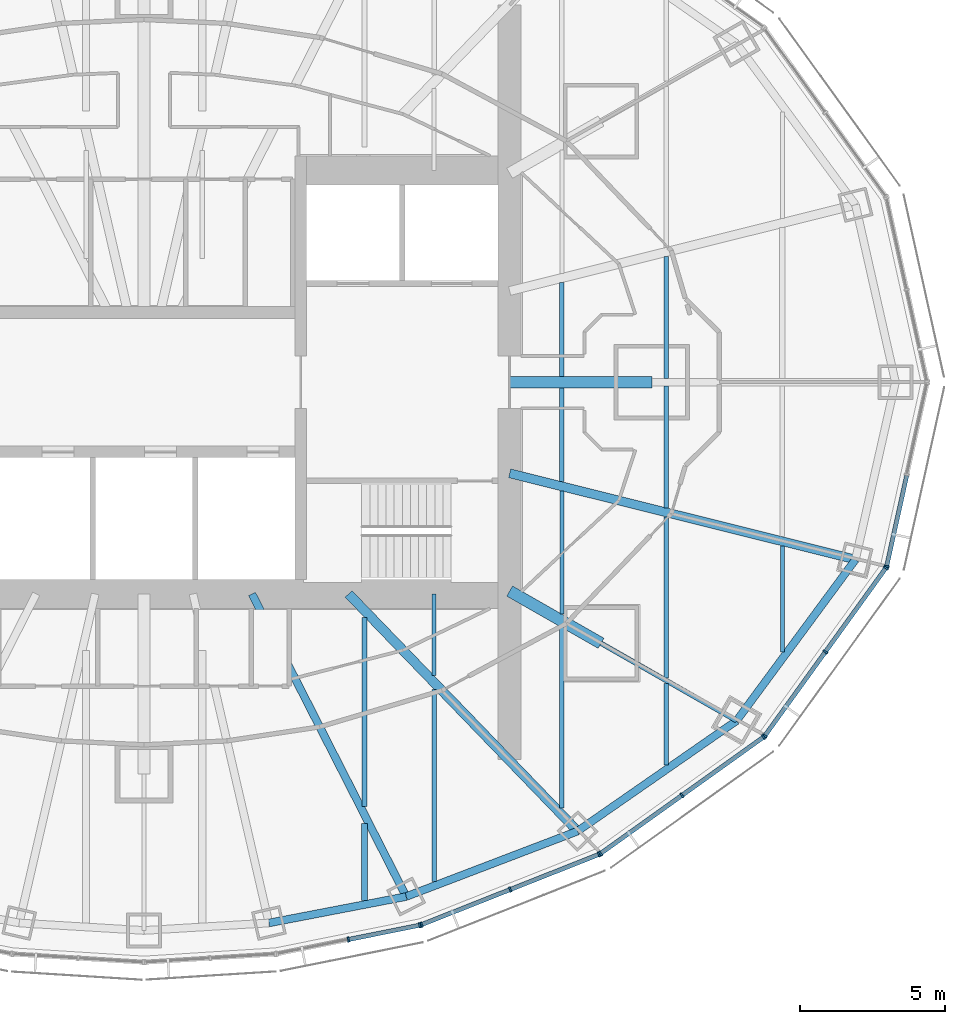
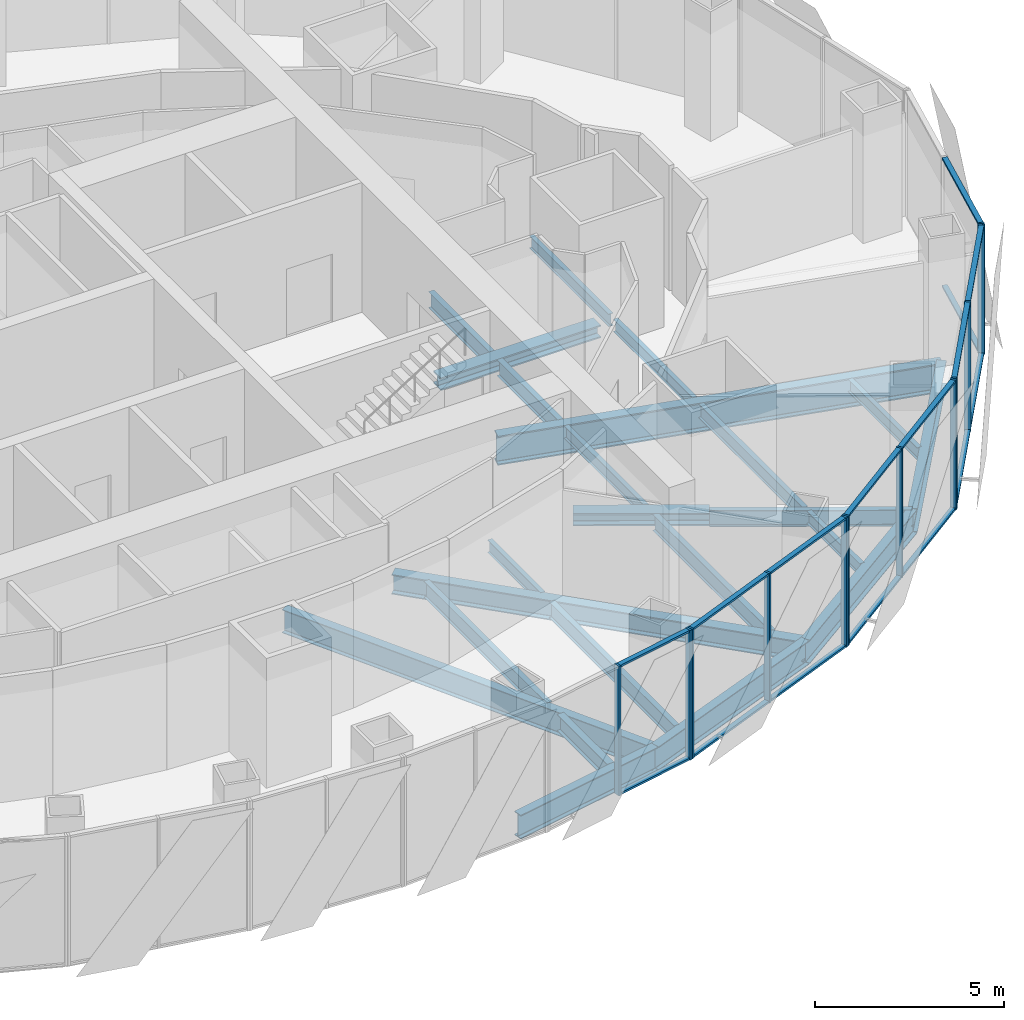
# One storey, part 6 of 17: 28 members, 23 beams, 5 elements without a shape of their own.
"""IFC4 building model written with IfcOpenShell, lengths in metres."""

import ifcopenshell
import ifcopenshell.guid

model = None  # the IFC model being written
_history = None  # IfcOwnerHistory: only IFC2X3 demands one
_inside = {}  # id of a spatial element -> (the spatial element, [elements in it])
_under = {}  # id of a project, library or spatial element -> (it, [spatial elements below it])
_declared = {}  # id of a project -> (the project, [libraries it declares])
_typed = {}  # id of a type object -> (the type object, [elements of that type])
_made_of = {}  # id of a material, layer set ... -> (it, [elements and type objects made of it])


def new_model(schema):
    """Start an empty IFC model of exactly this schema.

    Asked for "IFC4X3", IfcOpenShell would pick the latest addendum, in which some entities
    have other attributes; the version numbers below select the first issue.
    IFC2X3 requires an IfcOwnerHistory on every rooted entity: one is made here for all.
    """
    global model, _history
    if schema == "IFC4X3":
        model = ifcopenshell.file(schema_version=(4, 3, 0, 0))
    else:
        model = ifcopenshell.file(schema=schema)
    _inside.clear()
    _under.clear()
    _declared.clear()
    _typed.clear()
    _made_of.clear()
    _history = None
    if model.schema == "IFC2X3":
        org = make("IfcOrganization", Name="unknown")
        user = make(
            "IfcPersonAndOrganization",
            ThePerson=make("IfcPerson", FamilyName="unknown"),
            TheOrganization=org,
        )
        app = make(
            "IfcApplication",
            ApplicationDeveloper=org,
            Version="unknown",
            ApplicationFullName="unknown",
            ApplicationIdentifier="unknown",
        )
        _history = make(
            "IfcOwnerHistory",
            OwningUser=user,
            OwningApplication=app,
            ChangeAction="ADDED",
            CreationDate=0,
        )
    return model


def make(cls, **values):
    """One entity of the class cls with the attributes given. An attribute that is None is left unset."""
    return model.create_entity(
        cls, **{name: value for name, value in values.items() if value is not None}
    )


def rooted(cls, **values):
    """An entity with a GlobalId (a new one), such as an element, a storey or a relation."""
    return make(cls, GlobalId=ifcopenshell.guid.new(), OwnerHistory=_history, **values)


def si_unit(unit_type, name, prefix=None):
    """IfcSIUnit, for example si_unit("LENGTHUNIT", "METRE", prefix="MILLI")."""
    return make("IfcSIUnit", UnitType=unit_type, Prefix=prefix, Name=name)


def assignment(units):
    """IfcUnitAssignment: the units of a project."""
    return None if units is None else make("IfcUnitAssignment", Units=units)


def point(xyz):
    """IfcCartesianPoint."""
    return None if xyz is None else make("IfcCartesianPoint", Coordinates=xyz)


def direction(xyz):
    """IfcDirection."""
    return None if xyz is None else make("IfcDirection", DirectionRatios=xyz)


def frame(location, z_axis=None, x_axis=None):
    """IfcAxis2Placement3D, a coordinate frame: its origin and axes. An axis left out is left unset."""
    return make(
        "IfcAxis2Placement3D",
        Location=point(location),
        Axis=direction(z_axis),
        RefDirection=direction(x_axis),
    )


def frame_2d(location, x_axis=None):
    """IfcAxis2Placement2D, a coordinate frame in the plane: its origin and x axis."""
    return make(
        "IfcAxis2Placement2D", Location=point(location), RefDirection=direction(x_axis)
    )


def origin():
    """The frame at (0, 0, 0) with its axes left unset."""
    return frame((0.0, 0.0, 0.0))


def origin_2d():
    """The frame at (0, 0) in the plane with its x axis left unset."""
    return frame_2d((0.0, 0.0))


def place(relative_to, where):
    """IfcLocalPlacement: puts the frame where relative to a parent placement (None: the world)."""
    return make(
        "IfcLocalPlacement", PlacementRelTo=relative_to, RelativePlacement=where
    )


def context(
    kind, dimensions, precision=None, world=None, true_north=None, identifier=None
):
    """IfcGeometricRepresentationContext, for example the 3D "Model" context."""
    return make(
        "IfcGeometricRepresentationContext",
        ContextIdentifier=identifier,
        ContextType=kind,
        CoordinateSpaceDimension=dimensions,
        Precision=precision,
        WorldCoordinateSystem=world,
        TrueNorth=true_north,
    )


def subcontext(parent, identifier, kind, view, scale=None):
    """IfcGeometricRepresentationSubContext, for example "Body" below "Model"."""
    return make(
        "IfcGeometricRepresentationSubContext",
        ContextIdentifier=identifier,
        ContextType=kind,
        ParentContext=parent,
        TargetScale=scale,
        TargetView=view,
    )


def project(units=None, contexts=None):
    """IfcProject with its units and contexts."""
    return rooted(
        "IfcProject",
        Name="project",
        RepresentationContexts=contexts,
        UnitsInContext=assignment(units),
    )


def spatial(cls, under=None, at=None, **own):
    """A site, building, storey or space (cls), placed at a placement, below another one or the project."""
    s = rooted(cls, ObjectPlacement=at, **own)
    if under is not None:
        _under.setdefault(under.id(), (under, []))[1].append(s)
    return s


def profile(cls, at=None, kind="AREA", **sizes):
    """A parametric profile (cls). Its sizes go by their IFC names, for example OverallWidth=200.0."""
    return make(cls, ProfileType=kind, Position=at, **sizes)


def rectangle(**sizes):
    """IfcRectangleProfileDef."""
    return profile("IfcRectangleProfileDef", **sizes)


def i_section(**sizes):
    """IfcIShapeProfileDef."""
    return profile("IfcIShapeProfileDef", **sizes)


def extrude(swept, where, along, depth):
    """IfcExtrudedAreaSolid: the profile swept, set in the frame where, extruded along a direction by depth."""
    return make(
        "IfcExtrudedAreaSolid",
        SweptArea=swept,
        Position=where,
        ExtrudedDirection=direction(along),
        Depth=depth,
    )


def shape(context_of_items, identifier, shape_type, items):
    """IfcShapeRepresentation: the items that make up one representation, for example the "Body"."""
    return make(
        "IfcShapeRepresentation",
        ContextOfItems=context_of_items,
        RepresentationIdentifier=identifier,
        RepresentationType=shape_type,
        Items=items,
    )


def material(Name=None, Category=None):
    """IfcMaterial."""
    return make("IfcMaterial", Name=Name, Category=Category)


def material_profile(
    of_material, cross_section, Name=None, Category=None, Priority=None
):
    """IfcMaterialProfile: a cross section and its material."""
    return make(
        "IfcMaterialProfile",
        Name=Name,
        Material=of_material,
        Profile=cross_section,
        Priority=Priority,
        Category=Category,
    )


def profile_set(profiles, Name=None, composite=None):
    """IfcMaterialProfileSet."""
    return make(
        "IfcMaterialProfileSet",
        Name=Name,
        MaterialProfiles=profiles,
        CompositeProfile=composite,
    )


def made_of(thing, what):
    """Note that an element or type object is made of a material, layer set ...; save() writes the relation."""
    if what is not None:
        _made_of.setdefault(what.id(), (what, []))[1].append(thing)
    return thing


def type_object(cls, material=None, **own):
    """A type object (cls), such as IfcWallType, which elements share."""
    return made_of(rooted(cls, **own), material)


def element(
    cls,
    number,
    at=None,
    inside=None,
    cuts=None,
    type_object=None,
    material=None,
    context=None,
    identifier="Body",
    shape_type=None,
    held_by="IfcProductDefinitionShape",
    body=None,
    shapes=None,
    **own,
):
    """One element of the class cls, such as IfcWall. Its Tag is "e" and its number.

    at: its placement. inside: the storey or other place that contains it. cuts: it is an
    opening in that element (IfcRelVoidsElement). A single representation is given by context,
    identifier, shape_type and body (its items); several are given by shapes. held_by: the class
    of the entity that holds the representations. save() writes the other relations.
    """
    e = rooted(cls, Tag="e%d" % number, ObjectPlacement=at, **own)
    if body is not None:
        shapes = [shape(context, identifier, shape_type, body)]
    if shapes is not None:
        e.Representation = make(held_by, Representations=shapes)
    if inside is not None:
        _inside.setdefault(inside.id(), (inside, []))[1].append(e)
    if cuts is not None:
        rooted(
            "IfcRelVoidsElement", RelatingBuildingElement=cuts, RelatedOpeningElement=e
        )
    if type_object is not None:
        _typed.setdefault(type_object.id(), (type_object, []))[1].append(e)
    return made_of(e, material)


def aggregate(whole, parts):
    """IfcRelAggregates: a whole, such as a stair, and the parts it consists of."""
    return rooted("IfcRelAggregates", RelatingObject=whole, RelatedObjects=parts)


def save(model, path):
    """Write the relations noted so far, then the file.

    IfcRelAggregates (storeys below a building ...), IfcRelContainedInSpatialStructure (elements
    in a storey), IfcRelDefinesByType, IfcRelAssociatesMaterial and IfcRelDeclares: one each for
    every whole, place, type object, material and project.
    """
    for whole, parts in _under.values():
        aggregate(whole, parts)
    for where, things in _inside.values():
        rooted(
            "IfcRelContainedInSpatialStructure",
            RelatedElements=things,
            RelatingStructure=where,
        )
    for kind, things in _typed.values():
        rooted("IfcRelDefinesByType", RelatedObjects=things, RelatingType=kind)
    for what, things in _made_of.values():
        rooted("IfcRelAssociatesMaterial", RelatedObjects=things, RelatingMaterial=what)
    for by, libraries in _declared.values():
        rooted("IfcRelDeclares", RelatingContext=by, RelatedDefinitions=libraries)
    model.write(path)


model = new_model("IFC4")

# Units and contexts
model_context = context("Model", 3, precision=1e-05, world=origin(), true_north=direction((0.0, 1.0)))
body_context = subcontext(model_context, "Body", "Model", "MODEL_VIEW")
ifc_project = project(units=[si_unit("LENGTHUNIT", "METRE"), si_unit("AREAUNIT", "SQUARE_METRE"), si_unit("VOLUMEUNIT", "CUBIC_METRE"), si_unit("PLANEANGLEUNIT", "RADIAN"), si_unit("MASSUNIT", "GRAM", prefix="KILO")], contexts=[model_context])

# Site, building, storey
site_placement = place(None, origin())
site = spatial("IfcSite", under=ifc_project, at=site_placement, CompositionType="ELEMENT")
building_placement = place(site_placement, origin())
building = spatial("IfcBuilding", under=site, at=building_placement, Name="Lantaw Convention Tower", CompositionType="ELEMENT")
storey_placement = place(building_placement, frame((0.0, 0.0, 211.60009765625)))
storey = spatial("IfcBuildingStorey", under=building, at=storey_placement, Name="L49", CompositionType="ELEMENT", Elevation=211.60009765625)

# Beams
ifc_material_1 = material(Name="Steel ASTM A992", Category="steel")
ifc_material_profile_1 = material_profile(ifc_material_1, i_section(OverallWidth=0.2666015625, OverallDepth=0.76953125, WebThickness=0.015625, FlangeThickness=0.025390625, FilletRadius=0.0126953125, at=origin_2d()), Name="W30X132")
ifc_profile_set_1 = profile_set([ifc_material_profile_1], Name="Steel ASTM A992")
beam_type_1 = type_object("IfcBeamType", Name="Beam E W30X132", PredefinedType="SPANDREL", material=ifc_profile_set_1)
beam_1_placement = place(storey_placement, frame((4.303955078125, -18.64208984375, -0.534912109375), z_axis=(0.981972091702, 0.189025953556, 0.0), x_axis=(-0.189025953556, 0.981972091702, 0.0)))
element("IfcBeam", 1, at=beam_1_placement, inside=storey, type_object=beam_type_1, Name="Edge beam 20", PredefinedType="SPANDREL", context=body_context, shape_type="SweptSolid", body=[
    extrude(i_section(OverallWidth=0.2666015625, OverallDepth=0.76953125, WebThickness=0.015625, FlangeThickness=0.025390625, FilletRadius=0.0126953125, at=origin_2d()), origin(), (0.0, 0.0, 1.0), 4.817626953125),
])
beam_2_placement = place(storey_placement, frame((9.03466796875, -17.7314453125, -0.534912109375), z_axis=(0.934234988, 0.356658081637, 0.0), x_axis=(-0.356658081637, 0.934234988, 0.0)))
element("IfcBeam", 2, at=beam_2_placement, inside=storey, type_object=beam_type_1, Name="Edge beam 21", PredefinedType="SPANDREL", context=body_context, shape_type="SweptSolid", body=[
    extrude(i_section(OverallWidth=0.2666015625, OverallDepth=0.76953125, WebThickness=0.015625, FlangeThickness=0.025390625, FilletRadius=0.0126953125, at=origin_2d()), origin(), (0.0, 0.0, 1.0), 6.32568359375),
])
beam_3_placement = place(storey_placement, frame((14.9443359375, -15.475341796875, -0.534912109375), z_axis=(0.82135329406, 0.570419815869, 0.0), x_axis=(-0.570419815869, 0.82135329406, 0.0)))
element("IfcBeam", 3, at=beam_3_placement, inside=storey, type_object=beam_type_1, Name="Edge beam 22", PredefinedType="SPANDREL", context=body_context, shape_type="SweptSolid", body=[
    extrude(i_section(OverallWidth=0.2666015625, OverallDepth=0.76953125, WebThickness=0.015625, FlangeThickness=0.025390625, FilletRadius=0.0126953125, at=origin_2d()), origin(), (0.0, 0.0, 1.0), 6.67041015625),
])
beam_4_placement = place(storey_placement, frame((20.423095703125, -11.67041015625, -0.534912109375), z_axis=(0.593639188853, 0.804731329984, 0.0), x_axis=(-0.804731329984, 0.593639188853, 0.0)))
element("IfcBeam", 4, at=beam_4_placement, inside=storey, type_object=beam_type_1, Name="Edge beam 23", PredefinedType="SPANDREL", context=body_context, shape_type="SweptSolid", body=[
    extrude(i_section(OverallWidth=0.2666015625, OverallDepth=0.76953125, WebThickness=0.015625, FlangeThickness=0.025390625, FilletRadius=0.0126953125, at=origin_2d()), origin(), (0.0, 0.0, 1.0), 6.904541015625),
])
ifc_material_profile_2 = material_profile(ifc_material_1, i_section(OverallWidth=0.165771484375, OverallDepth=0.5283203125, WebThickness=0.009765625, FlangeThickness=0.013671875, FilletRadius=0.012939453125, at=origin_2d()), Name="W21X50")
ifc_profile_set_2 = profile_set([ifc_material_profile_2], Name="Steel ASTM A992")
beam_type_2 = type_object("IfcBeamType", Name="Beam G W21X50", PredefinedType="BEAM", material=ifc_profile_set_2)
beam_5_placement = place(storey_placement, frame((15.75, -9.0, -0.414306640625), z_axis=(0.868237559289, -0.496148708192, 0.0), x_axis=(0.496148708192, 0.868237559289, 0.0)))
element("IfcBeam", 5, at=beam_5_placement, inside=storey, type_object=beam_type_2, Name="Floor girder on ray 23", PredefinedType="BEAM", context=body_context, shape_type="SweptSolid", body=[
    extrude(i_section(OverallWidth=0.165771484375, OverallDepth=0.5283203125, WebThickness=0.009765625, FlangeThickness=0.013671875, FilletRadius=0.012939453125, at=origin_2d()), origin(), (0.0, 0.0, 1.0), 5.38232421875),
])
ifc_material_profile_3 = material_profile(ifc_material_1, i_section(OverallWidth=0.32763671875, OverallDepth=0.64013671875, WebThickness=0.01904296875, FlangeThickness=0.033935546875, FilletRadius=0.0126953125, at=origin_2d()), Name="W24X176")
ifc_profile_set_3 = profile_set([ifc_material_profile_3], Name="Steel ASTM A992")
beam_type_3 = type_object("IfcBeamType", Name="Beam G W24X176", PredefinedType="BEAM", material=ifc_profile_set_3)
beam_6_placement = place(storey_placement, frame((7.049560546875, -7.300048828125, -0.47021484375), z_axis=(0.694657766726, -0.719340383356, 0.0), x_axis=(0.719340383356, 0.694657766726, 0.0)))
element("IfcBeam", 6, at=beam_6_placement, inside=storey, type_object=beam_type_3, Name="Floor girder on ray 22", PredefinedType="BEAM", context=body_context, shape_type="SweptSolid", body=[
    extrude(i_section(OverallWidth=0.32763671875, OverallDepth=0.64013671875, WebThickness=0.01904296875, FlangeThickness=0.033935546875, FilletRadius=0.0126953125, at=origin_2d()), origin(), (0.0, 0.0, 1.0), 11.364990234375),
])
ifc_material_profile_4 = material_profile(ifc_material_1, i_section(OverallWidth=0.2666015625, OverallDepth=0.7568359375, WebThickness=0.013916015625, FlangeThickness=0.019287109375, FilletRadius=0.0126953125, at=origin_2d()), Name="W30X108")
ifc_profile_set_4 = profile_set([ifc_material_profile_4], Name="Steel ASTM A992")
beam_type_4 = type_object("IfcBeamType", Name="Beam G W30X108", PredefinedType="BEAM", material=ifc_profile_set_4)
beam_7_placement = place(storey_placement, frame((3.719482421875, -7.300048828125, -0.528564453125), z_axis=(0.4539988787, -0.891002254845, 0.0), x_axis=(0.891002254845, 0.4539988787, 0.0)))
element("IfcBeam", 7, at=beam_7_placement, inside=storey, type_object=beam_type_4, Name="Floor girder on ray 21", PredefinedType="BEAM", context=body_context, shape_type="SweptSolid", body=[
    extrude(i_section(OverallWidth=0.2666015625, OverallDepth=0.7568359375, WebThickness=0.013916015625, FlangeThickness=0.019287109375, FilletRadius=0.0126953125, at=origin_2d()), origin(), (0.0, 0.0, 1.0), 11.70751953125),
])
ifc_material_profile_5 = material_profile(ifc_material_1, i_section(OverallWidth=0.307373046875, OverallDepth=0.9423828125, WebThickness=0.022216796875, FlangeThickness=0.039794921875, FilletRadius=0.0126953125, at=origin_2d()), Name="W36X232")
ifc_profile_set_5 = profile_set([ifc_material_profile_5], Name="Steel ASTM A992")
beam_type_5 = type_object("IfcBeamType", Name="Beam G W36X232", PredefinedType="BEAM", material=ifc_profile_set_5)
beam_8_placement = place(storey_placement, frame((12.60009765625, -3.1416015625, -0.621337890625), z_axis=(0.970296589314, -0.241918434119, 0.0), x_axis=(0.241918434119, 0.970296589314, 0.0)))
element("IfcBeam", 8, at=beam_8_placement, inside=storey, type_object=beam_type_5, Name="Floor girder on ray 24", PredefinedType="BEAM", context=body_context, shape_type="SweptSolid", body=[
    extrude(i_section(OverallWidth=0.307373046875, OverallDepth=0.9423828125, WebThickness=0.022216796875, FlangeThickness=0.039794921875, FilletRadius=0.0126953125, at=origin_2d()), origin(), (0.0, 0.0, 1.0), 12.286865234375),
])
ifc_material_profile_6 = material_profile(ifc_material_1, i_section(OverallWidth=0.40380859375, OverallDepth=0.406494140625, WebThickness=0.027099609375, FlangeThickness=0.043701171875, FilletRadius=0.01513671875, at=origin_2d()), Name="W14X233")
ifc_profile_set_6 = profile_set([ifc_material_profile_6], Name="Steel ASTM A992")
beam_type_6 = type_object("IfcBeamType", Name="Beam GM W14X233", PredefinedType="BEAM", material=ifc_profile_set_6)
beam_9_placement = place(storey_placement, frame((12.60009765625, 0.0, -0.353271484375), z_axis=(1.0, 0.0, 0.0), x_axis=(0.0, 1.0, 0.0)))
element("IfcBeam", 9, at=beam_9_placement, inside=storey, type_object=beam_type_6, Name="Core link beam on ray 1", PredefinedType="BEAM", context=body_context, shape_type="SweptSolid", body=[
    extrude(i_section(OverallWidth=0.40380859375, OverallDepth=0.406494140625, WebThickness=0.027099609375, FlangeThickness=0.043701171875, FilletRadius=0.01513671875, at=origin_2d()), origin(), (0.0, 0.0, 1.0), 4.89990234375),
])
beam_10_placement = place(storey_placement, frame((12.60009765625, -7.199951171875, -0.353271484375), z_axis=(0.868230718294, -0.496160679428, 0.0), x_axis=(0.496160679428, 0.868230718294, 0.0)))
element("IfcBeam", 10, at=beam_10_placement, inside=storey, type_object=beam_type_6, Name="Core link beam on ray 23", PredefinedType="BEAM", context=body_context, shape_type="SweptSolid", body=[
    extrude(i_section(OverallWidth=0.40380859375, OverallDepth=0.406494140625, WebThickness=0.027099609375, FlangeThickness=0.043701171875, FilletRadius=0.01513671875, at=origin_2d()), origin(), (0.0, 0.0, 1.0), 3.6279296875),
])
ifc_material_profile_7 = material_profile(ifc_material_1, i_section(OverallWidth=0.140380859375, OverallDepth=0.40380859375, WebThickness=0.007080078125, FlangeThickness=0.01123046875, FilletRadius=0.01025390625, at=origin_2d()), Name="W16X31")
ifc_profile_set_7 = profile_set([ifc_material_profile_7], Name="Steel ASTM A992")
beam_type_7 = type_object("IfcBeamType", Name="Beam J W16X31", PredefinedType="JOIST", material=ifc_profile_set_7)
beam_11_placement = place(storey_placement, frame((10.0, -10.119384765625, -0.35205078125), z_axis=(0.0, 1.0, 0.0), x_axis=(-1.0, 0.0, 0.0)))
element("IfcBeam", 11, at=beam_11_placement, inside=storey, type_object=beam_type_7, Name="Floor joist", PredefinedType="JOIST", context=body_context, shape_type="SweptSolid", body=[
    extrude(i_section(OverallWidth=0.140380859375, OverallDepth=0.40380859375, WebThickness=0.007080078125, FlangeThickness=0.01123046875, FilletRadius=0.01025390625, at=origin_2d()), origin(), (0.0, 0.0, 1.0), 2.8193359375),
])
beam_12_placement = place(storey_placement, frame((14.39990234375, -7.99609375, -0.35205078125), z_axis=(0.0, 1.0, 0.0), x_axis=(-1.0, 0.0, 0.0)))
element("IfcBeam", 12, at=beam_12_placement, inside=storey, type_object=beam_type_7, Name="Floor joist", PredefinedType="JOIST", context=body_context, shape_type="SweptSolid", body=[
    extrude(i_section(OverallWidth=0.140380859375, OverallDepth=0.40380859375, WebThickness=0.007080078125, FlangeThickness=0.01123046875, FilletRadius=0.01025390625, at=origin_2d()), origin(), (0.0, 0.0, 1.0), 4.247314453125),
])
beam_13_placement = place(storey_placement, frame((18.0, -13.19091796875, -0.35205078125), z_axis=(0.0, 1.0, 0.0), x_axis=(-1.0, 0.0, 0.0)))
element("IfcBeam", 13, at=beam_13_placement, inside=storey, type_object=beam_type_7, Name="Floor joist", PredefinedType="JOIST", context=body_context, shape_type="SweptSolid", body=[
    extrude(i_section(OverallWidth=0.140380859375, OverallDepth=0.40380859375, WebThickness=0.007080078125, FlangeThickness=0.01123046875, FilletRadius=0.01025390625, at=origin_2d()), origin(), (0.0, 0.0, 1.0), 2.8095703125),
])
for number, where, z_axis, x_axis, name in (
    (14, (18.0, -4.32958984375, -0.35205078125), (0.0, 1.0, 0.0), (-1.0, 0.0, 0.0), "Floor joist"),
    (15, (18.0, 0.126953125, -0.35205078125), (0.0, 1.0, 0.0), (-1.0, 0.0, 0.0), "Floor joist"),
):
    element("IfcBeam", number, at=place(storey_placement, frame(where, z_axis=z_axis, x_axis=x_axis)), inside=storey, type_object=beam_type_7, Name=name, PredefinedType="JOIST", context=body_context, shape_type="SweptSolid", body=[
        extrude(i_section(OverallWidth=0.140380859375, OverallDepth=0.40380859375, WebThickness=0.007080078125, FlangeThickness=0.01123046875, FilletRadius=0.01025390625, at=origin_2d()), origin(), (0.0, 0.0, 1.0), 4.20263671875),
    ])
beam_14_placement = place(storey_placement, frame((22.0, -9.30810546875, -0.35205078125), z_axis=(0.0, 1.0, 0.0), x_axis=(-1.0, 0.0, 0.0)))
element("IfcBeam", 16, at=beam_14_placement, inside=storey, type_object=beam_type_7, Name="Floor joist", PredefinedType="JOIST", context=body_context, shape_type="SweptSolid", body=[
    extrude(i_section(OverallWidth=0.140380859375, OverallDepth=0.40380859375, WebThickness=0.007080078125, FlangeThickness=0.01123046875, FilletRadius=0.01025390625, at=origin_2d()), origin(), (0.0, 0.0, 1.0), 3.66455078125),
])
ifc_material_profile_8 = material_profile(ifc_material_1, i_section(OverallWidth=0.15234375, OverallDepth=0.449462890625, WebThickness=0.007568359375, FlangeThickness=0.0107421875, FilletRadius=0.01025390625, at=origin_2d()), Name="W18X35")
ifc_profile_set_8 = profile_set([ifc_material_profile_8], Name="Steel ASTM A992")
beam_type_8 = type_object("IfcBeamType", Name="Beam J W18X35", PredefinedType="JOIST", material=ifc_profile_set_8)
beam_15_placement = place(storey_placement, frame((18.0, -10.190185546875, -0.375), z_axis=(0.0, 1.0, 0.0), x_axis=(-1.0, 0.0, 0.0)))
element("IfcBeam", 17, at=beam_15_placement, inside=storey, type_object=beam_type_8, Name="Floor joist", PredefinedType="JOIST", context=body_context, shape_type="SweptSolid", body=[
    extrude(i_section(OverallWidth=0.15234375, OverallDepth=0.449462890625, WebThickness=0.007568359375, FlangeThickness=0.0107421875, FilletRadius=0.01025390625, at=origin_2d()), origin(), (0.0, 0.0, 1.0), 5.5439453125),
])
ifc_material_profile_9 = material_profile(ifc_material_1, i_section(OverallWidth=0.1650390625, OverallDepth=0.52587890625, WebThickness=0.0087890625, FlangeThickness=0.011474609375, FilletRadius=0.0126953125, at=origin_2d()), Name="W21X44")
ifc_profile_set_9 = profile_set([ifc_material_profile_9], Name="Steel ASTM A992")
beam_type_9 = type_object("IfcBeamType", Name="Beam J W21X44", PredefinedType="JOIST", material=ifc_profile_set_9)
beam_16_placement = place(storey_placement, frame((7.60009765625, -14.6220703125, -0.4130859375), z_axis=(0.0, 1.0, 0.0), x_axis=(-1.0, 0.0, 0.0)))
element("IfcBeam", 18, at=beam_16_placement, inside=storey, type_object=beam_type_9, Name="Floor joist", PredefinedType="JOIST", context=body_context, shape_type="SweptSolid", body=[
    extrude(i_section(OverallWidth=0.1650390625, OverallDepth=0.52587890625, WebThickness=0.0087890625, FlangeThickness=0.011474609375, FilletRadius=0.0126953125, at=origin_2d()), origin(), (0.0, 0.0, 1.0), 6.51611328125),
])
beam_17_placement = place(storey_placement, frame((10.0, -17.22021484375, -0.4130859375), z_axis=(0.0, 1.0, 0.0), x_axis=(-1.0, 0.0, 0.0)))
element("IfcBeam", 19, at=beam_17_placement, inside=storey, type_object=beam_type_9, Name="Floor joist", PredefinedType="JOIST", context=body_context, shape_type="SweptSolid", body=[
    extrude(i_section(OverallWidth=0.1650390625, OverallDepth=0.52587890625, WebThickness=0.0087890625, FlangeThickness=0.011474609375, FilletRadius=0.0126953125, at=origin_2d()), origin(), (0.0, 0.0, 1.0), 6.629150390625),
])
beam_18_placement = place(storey_placement, frame((14.39990234375, -14.67578125, -0.4130859375), z_axis=(0.0, 1.0, 0.0), x_axis=(-1.0, 0.0, 0.0)))
element("IfcBeam", 20, at=beam_18_placement, inside=storey, type_object=beam_type_9, Name="Floor joist", PredefinedType="JOIST", context=body_context, shape_type="SweptSolid", body=[
    extrude(i_section(OverallWidth=0.1650390625, OverallDepth=0.52587890625, WebThickness=0.0087890625, FlangeThickness=0.011474609375, FilletRadius=0.0126953125, at=origin_2d()), origin(), (0.0, 0.0, 1.0), 6.214599609375),
])
for number, where, z_axis, x_axis, name in (
    (21, (14.39990234375, -3.431884765625, -0.4130859375), (0.0, 1.0, 0.0), (-1.0, 0.0, 0.0), "Floor joist"),
    (22, (14.39990234375, 0.201904296875, -0.4130859375), (0.0, 1.0, 0.0), (-1.0, 0.0, 0.0), "Floor joist"),
):
    element("IfcBeam", number, at=place(storey_placement, frame(where, z_axis=z_axis, x_axis=x_axis)), inside=storey, type_object=beam_type_9, Name=name, PredefinedType="JOIST", context=body_context, shape_type="SweptSolid", body=[
        extrude(i_section(OverallWidth=0.1650390625, OverallDepth=0.52587890625, WebThickness=0.0087890625, FlangeThickness=0.011474609375, FilletRadius=0.0126953125, at=origin_2d()), origin(), (0.0, 0.0, 1.0), 3.22998046875),
    ])
ifc_material_profile_10 = material_profile(ifc_material_1, i_section(OverallWidth=0.2099609375, OverallDepth=0.535888671875, WebThickness=0.010986328125, FlangeThickness=0.017333984375, FilletRadius=0.012939453125, at=origin_2d()), Name="W21X68")
ifc_profile_set_10 = profile_set([ifc_material_profile_10], Name="Steel ASTM A992")
beam_type_10 = type_object("IfcBeamType", Name="Beam J W21X68", PredefinedType="JOIST", material=ifc_profile_set_10)
beam_19_placement = place(storey_placement, frame((7.60009765625, -17.871826171875, -0.41796875), z_axis=(0.0, 1.0, 0.0), x_axis=(-1.0, 0.0, 0.0)))
element("IfcBeam", 23, at=beam_19_placement, inside=storey, type_object=beam_type_10, Name="Floor joist", PredefinedType="JOIST", context=body_context, shape_type="SweptSolid", body=[
    extrude(i_section(OverallWidth=0.2099609375, OverallDepth=0.535888671875, WebThickness=0.010986328125, FlangeThickness=0.017333984375, FilletRadius=0.012939453125, at=origin_2d()), origin(), (0.0, 0.0, 1.0), 2.662353515625),
])

# Curtain wall, members
ifc_material_2 = material(Name="Aluminium framed curtain wall", Category="aluminium")
curtain_wall_type = type_object("IfcCurtainWallType", Name="Office curtain wall high rise, pale aluminium", PredefinedType="USERDEFINED", material=ifc_material_2)
curtain_wall_1_placement = place(storey_placement, origin())
curtain_wall_1 = element("IfcCurtainWall", 24, at=curtain_wall_1_placement, inside=storey, type_object=curtain_wall_type, Name="Office curtain wall high rise, pale aluminium L49", ObjectType="UNITISED CURTAIN WALL", PredefinedType="USERDEFINED")
ifc_material_3 = material(Name="Aluminium 6063-T6", Category="aluminium")
ifc_material_profile_11 = material_profile(ifc_material_3, rectangle(XDim=0.179931640625, YDim=0.06494140625, at=origin_2d()), Name="CW-O2 mullion 65x180")
ifc_profile_set_11 = profile_set([ifc_material_profile_11], Name="Aluminium 6063-T6")
member_type_1 = type_object("IfcMemberType", Name="CW-O2 mullion 65x180", PredefinedType="MULLION", material=ifc_profile_set_11)
member_1_placement = place(storey_placement, frame((7.042724609375, -19.212646484375, -0.150146484375), z_axis=(0.0, 0.0, 1.0), x_axis=(-0.197183095987, 0.980366679695, 0.0)))
member_1 = element("IfcMember", 25, at=member_1_placement, type_object=member_type_1, Name="CW-O2 mullion 2", PredefinedType="MULLION", context=body_context, shape_type="SweptSolid", body=[
    extrude(rectangle(XDim=0.179931640625, YDim=0.06494140625, at=origin_2d()), origin(), (0.0, 0.0, 1.0), 4.199951171875),
])
member_2_placement = place(storey_placement, frame((9.502197265625, -18.718017578125, -0.150146484375), z_axis=(0.0, 0.0, 1.0), x_axis=(-0.197183095987, 0.980366679695, 0.0)))
member_2 = element("IfcMember", 26, at=member_2_placement, type_object=member_type_1, Name="CW-O2 mullion 3", PredefinedType="MULLION", context=body_context, shape_type="SweptSolid", body=[
    extrude(rectangle(XDim=0.179931640625, YDim=0.06494140625, at=origin_2d()), origin(), (0.0, 0.0, 1.0), 4.199951171875),
])

curtain_wall_2_placement = place(storey_placement, origin())
curtain_wall_2 = element("IfcCurtainWall", 27, at=curtain_wall_2_placement, inside=storey, type_object=curtain_wall_type, Name="Office curtain wall high rise, pale aluminium L49", ObjectType="UNITISED CURTAIN WALL", PredefinedType="USERDEFINED")
member_3_placement = place(storey_placement, frame((9.564208984375, -18.69970703125, -0.150146484375), z_axis=(0.0, 0.0, 1.0), x_axis=(-0.368162315252, 0.929761533743, 0.0)))
member_3 = element("IfcMember", 28, at=member_3_placement, type_object=member_type_1, Name="CW-O2 mullion 1", PredefinedType="MULLION", context=body_context, shape_type="SweptSolid", body=[
    extrude(rectangle(XDim=0.179931640625, YDim=0.06494140625, at=origin_2d()), origin(), (0.0, 0.0, 1.0), 4.199951171875),
])
member_4_placement = place(storey_placement, frame((12.621337890625, -17.4892578125, -0.150146484375), z_axis=(0.0, 0.0, 1.0), x_axis=(-0.368162315252, 0.929761533743, 0.0)))
member_4 = element("IfcMember", 29, at=member_4_placement, type_object=member_type_1, Name="CW-O2 mullion 2", PredefinedType="MULLION", context=body_context, shape_type="SweptSolid", body=[
    extrude(rectangle(XDim=0.179931640625, YDim=0.06494140625, at=origin_2d()), origin(), (0.0, 0.0, 1.0), 4.199951171875),
])
member_5_placement = place(storey_placement, frame((15.67822265625, -16.278564453125, -0.150146484375), z_axis=(0.0, 0.0, 1.0), x_axis=(-0.368162315252, 0.929761533743, 0.0)))
member_5 = element("IfcMember", 30, at=member_5_placement, type_object=member_type_1, Name="CW-O2 mullion 3", PredefinedType="MULLION", context=body_context, shape_type="SweptSolid", body=[
    extrude(rectangle(XDim=0.179931640625, YDim=0.06494140625, at=origin_2d()), origin(), (0.0, 0.0, 1.0), 4.199951171875),
])

curtain_wall_3_placement = place(storey_placement, origin())
curtain_wall_3 = element("IfcCurtainWall", 31, at=curtain_wall_3_placement, inside=storey, type_object=curtain_wall_type, Name="Office curtain wall high rise, pale aluminium L49", ObjectType="UNITISED CURTAIN WALL", PredefinedType="USERDEFINED")
member_6_placement = place(storey_placement, frame((15.73486328125, -16.247802734375, -0.150146484375), z_axis=(0.0, 0.0, 1.0), x_axis=(-0.581323487281, 0.813672540482, 0.0)))
member_6 = element("IfcMember", 32, at=member_6_placement, type_object=member_type_1, Name="CW-O2 mullion 1", PredefinedType="MULLION", context=body_context, shape_type="SweptSolid", body=[
    extrude(rectangle(XDim=0.179931640625, YDim=0.06494140625, at=origin_2d()), origin(), (0.0, 0.0, 1.0), 4.199951171875),
])
member_7_placement = place(storey_placement, frame((18.543212890625, -14.241455078125, -0.150146484375), z_axis=(0.0, 0.0, 1.0), x_axis=(-0.581323487281, 0.813672540482, 0.0)))
member_7 = element("IfcMember", 33, at=member_7_placement, type_object=member_type_1, Name="CW-O2 mullion 2", PredefinedType="MULLION", context=body_context, shape_type="SweptSolid", body=[
    extrude(rectangle(XDim=0.179931640625, YDim=0.06494140625, at=origin_2d()), origin(), (0.0, 0.0, 1.0), 4.199951171875),
])
member_8_placement = place(storey_placement, frame((21.3515625, -12.23486328125, -0.150146484375), z_axis=(0.0, 0.0, 1.0), x_axis=(-0.581323487281, 0.813672540482, 0.0)))
member_8 = element("IfcMember", 34, at=member_8_placement, type_object=member_type_1, Name="CW-O2 mullion 3", PredefinedType="MULLION", context=body_context, shape_type="SweptSolid", body=[
    extrude(rectangle(XDim=0.179931640625, YDim=0.06494140625, at=origin_2d()), origin(), (0.0, 0.0, 1.0), 4.199951171875),
])

curtain_wall_4_placement = place(storey_placement, origin())
curtain_wall_4 = element("IfcCurtainWall", 35, at=curtain_wall_4_placement, inside=storey, type_object=curtain_wall_type, Name="Office curtain wall high rise, pale aluminium L49", ObjectType="UNITISED CURTAIN WALL", PredefinedType="USERDEFINED")
member_9_placement = place(storey_placement, frame((21.397216796875, -12.189697265625, -0.150146484375), z_axis=(0.0, 0.0, 1.0), x_axis=(-0.810919559405, 0.585157643865, 0.0)))
member_9 = element("IfcMember", 36, at=member_9_placement, type_object=member_type_1, Name="CW-O2 mullion 1", PredefinedType="MULLION", context=body_context, shape_type="SweptSolid", body=[
    extrude(rectangle(XDim=0.179931640625, YDim=0.06494140625, at=origin_2d()), origin(), (0.0, 0.0, 1.0), 4.199951171875),
])
member_10_placement = place(storey_placement, frame((23.483642578125, -9.298095703125, -0.150146484375), z_axis=(0.0, 0.0, 1.0), x_axis=(-0.810919559405, 0.585157643865, 0.0)))
member_10 = element("IfcMember", 37, at=member_10_placement, type_object=member_type_1, Name="CW-O2 mullion 2", PredefinedType="MULLION", context=body_context, shape_type="SweptSolid", body=[
    extrude(rectangle(XDim=0.179931640625, YDim=0.06494140625, at=origin_2d()), origin(), (0.0, 0.0, 1.0), 4.199951171875),
])
member_11_placement = place(storey_placement, frame((25.5703125, -6.406494140625, -0.150146484375), z_axis=(0.0, 0.0, 1.0), x_axis=(-0.810919559405, 0.585157643865, 0.0)))
member_11 = element("IfcMember", 38, at=member_11_placement, type_object=member_type_1, Name="CW-O2 mullion 3", PredefinedType="MULLION", context=body_context, shape_type="SweptSolid", body=[
    extrude(rectangle(XDim=0.179931640625, YDim=0.06494140625, at=origin_2d()), origin(), (0.0, 0.0, 1.0), 4.199951171875),
])

# Curtain wall, member
curtain_wall_5_placement = place(storey_placement, origin())
curtain_wall_5 = element("IfcCurtainWall", 39, at=curtain_wall_5_placement, inside=storey, type_object=curtain_wall_type, Name="Office curtain wall high rise, pale aluminium L49", ObjectType="UNITISED CURTAIN WALL", PredefinedType="USERDEFINED")
member_12_placement = place(storey_placement, frame((25.596435546875, -6.348388671875, -0.150146484375), z_axis=(0.0, 0.0, 1.0), x_axis=(-0.976417396437, 0.215891333626, 0.0)))
member_12 = element("IfcMember", 40, at=member_12_placement, type_object=member_type_1, Name="CW-O2 mullion 1", PredefinedType="MULLION", context=body_context, shape_type="SweptSolid", body=[
    extrude(rectangle(XDim=0.179931640625, YDim=0.06494140625, at=origin_2d()), origin(), (0.0, 0.0, 1.0), 4.199951171875),
])

# Member
ifc_material_profile_12 = material_profile(ifc_material_3, rectangle(XDim=0.14990234375, YDim=0.06494140625, at=origin_2d()), Name="CW-O2 transom 65x150")
ifc_profile_set_12 = profile_set([ifc_material_profile_12], Name="Aluminium 6063-T6")
member_type_2 = type_object("IfcMemberType", Name="CW-O2 transom 65x150", PredefinedType="USERDEFINED", material=ifc_profile_set_12)
member_13_placement = place(storey_placement, frame((7.074462890625, -19.206298828125, -0.11767578125), z_axis=(0.98036104319, 0.197211117829, 0.0), x_axis=(-0.197211117829, 0.98036104319, 0.0)))
member_13 = element("IfcMember", 41, at=member_13_placement, type_object=member_type_2, Name="CW-O2 transom 2.1", ObjectType="TRANSOM", PredefinedType="USERDEFINED", context=body_context, shape_type="SweptSolid", body=[
    extrude(rectangle(XDim=0.14990234375, YDim=0.06494140625, at=origin_2d()), origin(), (0.0, 0.0, 1.0), 2.44384765625),
])

member_14_placement = place(storey_placement, frame((7.074462890625, -19.206298828125, 4.017333984375), z_axis=(0.98036104319, 0.197211117829, 0.0), x_axis=(-0.197211117829, 0.98036104319, 0.0)))
member_14 = element("IfcMember", 42, at=member_14_placement, type_object=member_type_2, Name="CW-O2 transom 2.2", ObjectType="TRANSOM", PredefinedType="USERDEFINED", context=body_context, shape_type="SweptSolid", body=[
    extrude(rectangle(XDim=0.14990234375, YDim=0.06494140625, at=origin_2d()), origin(), (0.0, 0.0, 1.0), 2.44384765625),
])

aggregate(curtain_wall_1, [member_1, member_2, member_13, member_14])

member_15_placement = place(storey_placement, frame((9.594482421875, -18.687744140625, -0.11767578125), z_axis=(0.929766642946, 0.368149412149, 0.0), x_axis=(-0.368149412149, 0.929766642946, 0.0)))
member_15 = element("IfcMember", 43, at=member_15_placement, type_object=member_type_2, Name="CW-O2 transom 1.1", ObjectType="TRANSOM", PredefinedType="USERDEFINED", context=body_context, shape_type="SweptSolid", body=[
    extrude(rectangle(XDim=0.14990234375, YDim=0.06494140625, at=origin_2d()), origin(), (0.0, 0.0, 1.0), 3.222900390625),
])

member_16_placement = place(storey_placement, frame((9.594482421875, -18.687744140625, 4.017333984375), z_axis=(0.929766642946, 0.368149412149, 0.0), x_axis=(-0.368149412149, 0.929766642946, 0.0)))
member_16 = element("IfcMember", 44, at=member_16_placement, type_object=member_type_2, Name="CW-O2 transom 1.2", ObjectType="TRANSOM", PredefinedType="USERDEFINED", context=body_context, shape_type="SweptSolid", body=[
    extrude(rectangle(XDim=0.14990234375, YDim=0.06494140625, at=origin_2d()), origin(), (0.0, 0.0, 1.0), 3.222900390625),
])

member_17_placement = place(storey_placement, frame((12.651611328125, -17.477294921875, -0.11767578125), z_axis=(0.929740712354, 0.368214893495, 0.0), x_axis=(-0.368214893495, 0.929740712354, 0.0)))
member_17 = element("IfcMember", 45, at=member_17_placement, type_object=member_type_2, Name="CW-O2 transom 2.1", ObjectType="TRANSOM", PredefinedType="USERDEFINED", context=body_context, shape_type="SweptSolid", body=[
    extrude(rectangle(XDim=0.14990234375, YDim=0.06494140625, at=origin_2d()), origin(), (0.0, 0.0, 1.0), 3.22314453125),
])

member_18_placement = place(storey_placement, frame((12.651611328125, -17.477294921875, 4.017333984375), z_axis=(0.929740712354, 0.368214893495, 0.0), x_axis=(-0.368214893495, 0.929740712354, 0.0)))
member_18 = element("IfcMember", 46, at=member_18_placement, type_object=member_type_2, Name="CW-O2 transom 2.2", ObjectType="TRANSOM", PredefinedType="USERDEFINED", context=body_context, shape_type="SweptSolid", body=[
    extrude(rectangle(XDim=0.14990234375, YDim=0.06494140625, at=origin_2d()), origin(), (0.0, 0.0, 1.0), 3.22314453125),
])

aggregate(curtain_wall_2, [member_3, member_4, member_5, member_15, member_16, member_17, member_18])

member_19_placement = place(storey_placement, frame((15.761474609375, -16.22900390625, -0.11767578125), z_axis=(0.813645780821, 0.581360940683, 0.0), x_axis=(-0.581360940683, 0.813645780821, 0.0)))
member_19 = element("IfcMember", 47, at=member_19_placement, type_object=member_type_2, Name="CW-O2 transom 1.1", ObjectType="TRANSOM", PredefinedType="USERDEFINED", context=body_context, shape_type="SweptSolid", body=[
    extrude(rectangle(XDim=0.14990234375, YDim=0.06494140625, at=origin_2d()), origin(), (0.0, 0.0, 1.0), 3.386474609375),
])

member_20_placement = place(storey_placement, frame((15.761474609375, -16.22900390625, 4.017333984375), z_axis=(0.813645780821, 0.581360940683, 0.0), x_axis=(-0.581360940683, 0.813645780821, 0.0)))
member_20 = element("IfcMember", 48, at=member_20_placement, type_object=member_type_2, Name="CW-O2 transom 1.2", ObjectType="TRANSOM", PredefinedType="USERDEFINED", context=body_context, shape_type="SweptSolid", body=[
    extrude(rectangle(XDim=0.14990234375, YDim=0.06494140625, at=origin_2d()), origin(), (0.0, 0.0, 1.0), 3.386474609375),
])

member_21_placement = place(storey_placement, frame((18.56982421875, -14.222412109375, -0.11767578125), z_axis=(0.813679882592, 0.581313210468, 0.0), x_axis=(-0.581313210468, 0.813679882592, 0.0)))
member_21 = element("IfcMember", 49, at=member_21_placement, type_object=member_type_2, Name="CW-O2 transom 2.1", ObjectType="TRANSOM", PredefinedType="USERDEFINED", context=body_context, shape_type="SweptSolid", body=[
    extrude(rectangle(XDim=0.14990234375, YDim=0.06494140625, at=origin_2d()), origin(), (0.0, 0.0, 1.0), 3.38623046875),
])

member_22_placement = place(storey_placement, frame((18.56982421875, -14.222412109375, 4.017333984375), z_axis=(0.813679882592, 0.581313210468, 0.0), x_axis=(-0.581313210468, 0.813679882592, 0.0)))
member_22 = element("IfcMember", 50, at=member_22_placement, type_object=member_type_2, Name="CW-O2 transom 2.2", ObjectType="TRANSOM", PredefinedType="USERDEFINED", context=body_context, shape_type="SweptSolid", body=[
    extrude(rectangle(XDim=0.14990234375, YDim=0.06494140625, at=origin_2d()), origin(), (0.0, 0.0, 1.0), 3.38623046875),
])

aggregate(curtain_wall_3, [member_6, member_7, member_8, member_19, member_20, member_21, member_22])

member_23_placement = place(storey_placement, frame((21.416259765625, -12.163330078125, -0.11767578125), z_axis=(0.585123825205, 0.810943961798, 0.0), x_axis=(-0.810943961798, 0.585123825205, 0.0)))
member_23 = element("IfcMember", 51, at=member_23_placement, type_object=member_type_2, Name="CW-O2 transom 1.1", ObjectType="TRANSOM", PredefinedType="USERDEFINED", context=body_context, shape_type="SweptSolid", body=[
    extrude(rectangle(XDim=0.14990234375, YDim=0.06494140625, at=origin_2d()), origin(), (0.0, 0.0, 1.0), 3.500732421875),
])

member_24_placement = place(storey_placement, frame((21.416259765625, -12.163330078125, 4.017333984375), z_axis=(0.585123825205, 0.810943961798, 0.0), x_axis=(-0.810943961798, 0.585123825205, 0.0)))
member_24 = element("IfcMember", 52, at=member_24_placement, type_object=member_type_2, Name="CW-O2 transom 1.2", ObjectType="TRANSOM", PredefinedType="USERDEFINED", context=body_context, shape_type="SweptSolid", body=[
    extrude(rectangle(XDim=0.14990234375, YDim=0.06494140625, at=origin_2d()), origin(), (0.0, 0.0, 1.0), 3.500732421875),
])

member_25_placement = place(storey_placement, frame((23.502685546875, -9.271728515625, -0.11767578125), z_axis=(0.585169685931, 0.810910869743, 0.0), x_axis=(-0.810910869743, 0.585169685931, 0.0)))
member_25 = element("IfcMember", 53, at=member_25_placement, type_object=member_type_2, Name="CW-O2 transom 2.1", ObjectType="TRANSOM", PredefinedType="USERDEFINED", context=body_context, shape_type="SweptSolid", body=[
    extrude(rectangle(XDim=0.14990234375, YDim=0.06494140625, at=origin_2d()), origin(), (0.0, 0.0, 1.0), 3.500732421875),
])

member_26_placement = place(storey_placement, frame((23.502685546875, -9.271728515625, 4.017333984375), z_axis=(0.585169685931, 0.810910869743, 0.0), x_axis=(-0.810910869743, 0.585169685931, 0.0)))
member_26 = element("IfcMember", 54, at=member_26_placement, type_object=member_type_2, Name="CW-O2 transom 2.2", ObjectType="TRANSOM", PredefinedType="USERDEFINED", context=body_context, shape_type="SweptSolid", body=[
    extrude(rectangle(XDim=0.14990234375, YDim=0.06494140625, at=origin_2d()), origin(), (0.0, 0.0, 1.0), 3.500732421875),
])

aggregate(curtain_wall_4, [member_9, member_10, member_11, member_23, member_24, member_25, member_26])

member_27_placement = place(storey_placement, frame((25.603271484375, -6.316650390625, -0.11767578125), z_axis=(0.215894607042, 0.976416672661, 0.0), x_axis=(-0.976416672661, 0.215894607042, 0.0)))
member_27 = element("IfcMember", 55, at=member_27_placement, type_object=member_type_2, Name="CW-O2 transom 1.1", ObjectType="TRANSOM", PredefinedType="USERDEFINED", context=body_context, shape_type="SweptSolid", body=[
    extrude(rectangle(XDim=0.14990234375, YDim=0.06494140625, at=origin_2d()), origin(), (0.0, 0.0, 1.0), 3.169677734375),
])

member_28_placement = place(storey_placement, frame((25.603271484375, -6.316650390625, 4.017333984375), z_axis=(0.215894607042, 0.976416672661, 0.0), x_axis=(-0.976416672661, 0.215894607042, 0.0)))
member_28 = element("IfcMember", 56, at=member_28_placement, type_object=member_type_2, Name="CW-O2 transom 1.2", ObjectType="TRANSOM", PredefinedType="USERDEFINED", context=body_context, shape_type="SweptSolid", body=[
    extrude(rectangle(XDim=0.14990234375, YDim=0.06494140625, at=origin_2d()), origin(), (0.0, 0.0, 1.0), 3.169677734375),
])

aggregate(curtain_wall_5, [member_12, member_27, member_28])

save(model, "model.ifc")
